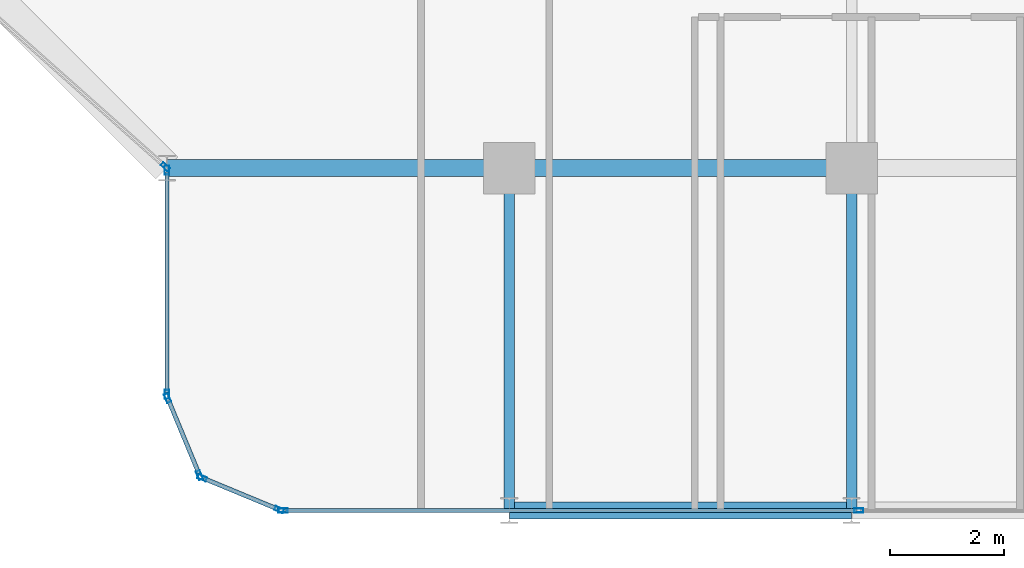
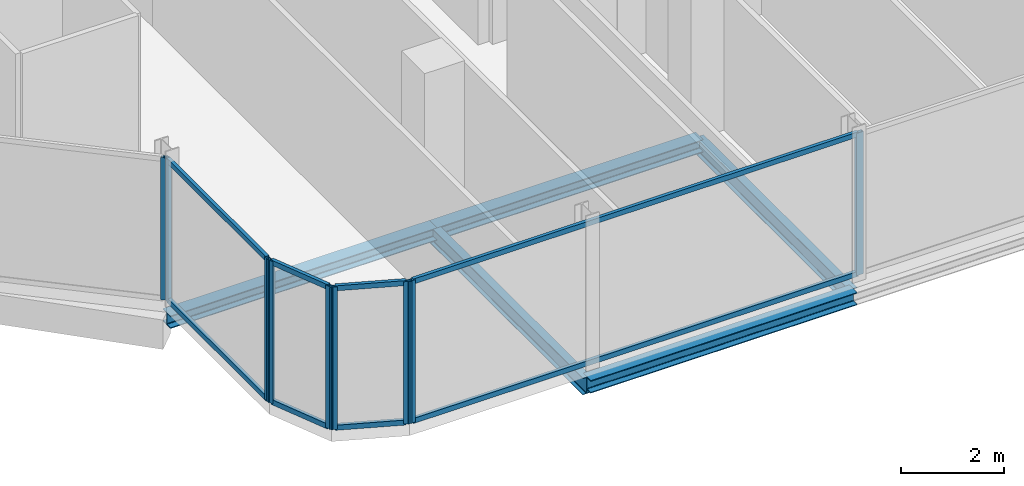
# One storey, part 6 of 29: 17 members, 5 beams, 5 elements without a shape of their own.
"""IFC4 building model written with IfcOpenShell, lengths in metres."""

from ifc_helpers import new_model, si_unit, direction, frame, origin, origin_2d, place, context, subcontext, project, spatial, hollow_rectangle, i_section, extrude, material, layer, layer_set, material_profile, profile_set, type_object, element, aggregate, save


model = new_model("IFC4")

# Units and contexts
model_context = context("Model", 3, precision=1e-05, world=origin(), true_north=direction((0.0, 1.0)))
body_context = subcontext(model_context, "Body", "Model", "MODEL_VIEW")
ifc_project = project(units=[si_unit("LENGTHUNIT", "METRE"), si_unit("AREAUNIT", "SQUARE_METRE"), si_unit("VOLUMEUNIT", "CUBIC_METRE"), si_unit("PLANEANGLEUNIT", "RADIAN"), si_unit("MASSUNIT", "GRAM", prefix="KILO")], contexts=[model_context])

# Site, building, storey
site_placement = place(None, origin())
site = spatial("IfcSite", under=ifc_project, at=site_placement, CompositionType="ELEMENT")
building_placement = place(site_placement, origin())
building = spatial("IfcBuilding", under=site, at=building_placement, Name="Keshet Zoharim Tower", CompositionType="ELEMENT")
storey_placement = place(building_placement, frame((0.0, 0.0, 176.5)))
storey = spatial("IfcBuildingStorey", under=building, at=storey_placement, Name="L43", CompositionType="ELEMENT", Elevation=176.5)

# Beams
ifc_material_1 = material(Name="Steel S355", Category="steel")
ifc_material_profile_1 = material_profile(ifc_material_1, i_section(OverallWidth=0.300048828125, OverallDepth=0.300048828125, WebThickness=0.010986328125, FlangeThickness=0.01904296875, FilletRadius=0.027099609375, at=origin_2d()), Name="HEB300")
ifc_profile_set_1 = profile_set([ifc_material_profile_1], Name="Steel S355")
beam_type_1 = type_object("IfcBeamType", Name="BM-PRI-HB300", PredefinedType="BEAM", material=ifc_profile_set_1)
for number, where, z_axis, x_axis, name in (
    (1, (27.0, 0.699951171875, -0.4599609375), (1.0, 0.0, 0.0), (0.0, 1.0, 0.0), "L43 Primary Girder X-001"),
    (2, (21.0, 6.699951171875, -0.4599609375), (1.0, 0.0, 0.0), (0.0, 1.0, 0.0), "L43 Primary Girder X-005"),
    (3, (27.0, 6.699951171875, -0.4599609375), (1.0, 0.0, 0.0), (0.0, 1.0, 0.0), "L43 Primary Girder X-006"),
):
    element("IfcBeam", number, at=place(storey_placement, frame(where, z_axis=z_axis, x_axis=x_axis)), inside=storey, type_object=beam_type_1, Name=name, PredefinedType="BEAM", context=body_context, shape_type="SweptSolid", body=[
        extrude(i_section(OverallWidth=0.300048828125, OverallDepth=0.300048828125, WebThickness=0.010986328125, FlangeThickness=0.01904296875, FilletRadius=0.027099609375, at=origin_2d()), origin(), (0.0, 0.0, 1.0), 6.0),
    ])
ifc_material_profile_2 = material_profile(ifc_material_1, i_section(OverallWidth=0.179931640625, OverallDepth=0.39990234375, WebThickness=0.008544921875, FlangeThickness=0.013427734375, FilletRadius=0.02099609375, at=origin_2d()), Name="IPE400")
ifc_profile_set_2 = profile_set([ifc_material_profile_2], Name="Steel S355")
beam_type_2 = type_object("IfcBeamType", Name="BM-PRI-IP400", PredefinedType="BEAM", material=ifc_profile_set_2)
for number, where, z_axis, x_axis, name in (
    (4, (27.0, 0.699951171875, -0.510009765625), (0.0, 1.0, 0.0), (-1.0, 0.0, 0.0), "L43 Primary Girder Y-004"),
    (5, (33.0, 0.699951171875, -0.510009765625), (0.0, 1.0, 0.0), (-1.0, 0.0, 0.0), "L43 Primary Girder Y-005"),
):
    element("IfcBeam", number, at=place(storey_placement, frame(where, z_axis=z_axis, x_axis=x_axis)), inside=storey, type_object=beam_type_2, Name=name, PredefinedType="BEAM", context=body_context, shape_type="SweptSolid", body=[
        extrude(i_section(OverallWidth=0.179931640625, OverallDepth=0.39990234375, WebThickness=0.008544921875, FlangeThickness=0.013427734375, FilletRadius=0.02099609375, at=origin_2d()), origin(), (0.0, 0.0, 1.0), 6.0),
    ])

# Curtain wall, members
ifc_material_2 = material(Name="Aluminium 6063-T6", Category="aluminium")
ifc_layer = layer(ifc_material_2, 0.139892578125)
ifc_layer_set = layer_set([ifc_layer], Name="Aluminium 6063-T6")
curtain_wall_type = type_object("IfcCurtainWallType", Name="CW-SYS-05", PredefinedType="NOTDEFINED", material=ifc_layer_set)
curtain_wall_1_placement = place(storey_placement, origin())
curtain_wall_1 = element("IfcCurtainWall", 6, at=curtain_wall_1_placement, inside=storey, type_object=curtain_wall_type, Name="L43 Unitised Curtain Wall 06 Part 3", PredefinedType="NOTDEFINED")
ifc_material_profile_3 = material_profile(ifc_material_2, hollow_rectangle(XDim=0.074951171875, YDim=0.159912109375, WallThickness=0.00390625, at=origin_2d()), Name="MUL-75x160")
ifc_profile_set_3 = profile_set([ifc_material_profile_3], Name="Aluminium 6063-T6")
member_type_1 = type_object("IfcMemberType", Name="CWM-M15", PredefinedType="MULLION", material=ifc_profile_set_3)
member_1_placement = place(storey_placement, frame((33.1259765625, 0.699951171875, 0.0), z_axis=(0.0, 0.0, 1.0), x_axis=(0.0, -1.0, 0.0)))
member_1 = element("IfcMember", 7, at=member_1_placement, type_object=member_type_1, Name="CW-05 mullion 2", PredefinedType="MULLION", context=body_context, shape_type="SweptSolid", body=[
    extrude(hollow_rectangle(XDim=0.074951171875, YDim=0.159912109375, WallThickness=0.00390625, at=origin_2d()), origin(), (0.0, 0.0, 1.0), 3.389892578125),
])
member_2_placement = place(storey_placement, frame((23.034912109375, 0.699951171875, 0.0), z_axis=(0.0, 0.0, 1.0), x_axis=(0.0, -1.0, 0.0)))
member_2 = element("IfcMember", 8, at=member_2_placement, type_object=member_type_1, Name="CW-05 mullion 3", PredefinedType="MULLION", context=body_context, shape_type="SweptSolid", body=[
    extrude(hollow_rectangle(XDim=0.074951171875, YDim=0.159912109375, WallThickness=0.00390625, at=origin_2d()), origin(), (0.0, 0.0, 1.0), 3.389892578125),
])

curtain_wall_2_placement = place(storey_placement, origin())
curtain_wall_2 = element("IfcCurtainWall", 9, at=curtain_wall_2_placement, inside=storey, type_object=curtain_wall_type, Name="L43 Unitised Curtain Wall 07", PredefinedType="NOTDEFINED")
member_3_placement = place(storey_placement, frame((22.9677734375, 0.71337890625, 0.0), z_axis=(0.0, 0.0, 1.0), x_axis=(-0.382851849847, -0.92380975372, 0.0)))
member_3 = element("IfcMember", 10, at=member_3_placement, type_object=member_type_1, Name="CW-05 mullion 1", PredefinedType="MULLION", context=body_context, shape_type="SweptSolid", body=[
    extrude(hollow_rectangle(XDim=0.074951171875, YDim=0.159912109375, WallThickness=0.00390625, at=origin_2d()), origin(), (0.0, 0.0, 1.0), 3.389892578125),
])
member_4_placement = place(storey_placement, frame((21.618408203125, 1.272705078125, 0.0), z_axis=(0.0, 0.0, 1.0), x_axis=(-0.382851849847, -0.92380975372, 0.0)))
member_4 = element("IfcMember", 11, at=member_4_placement, type_object=member_type_1, Name="CW-05 mullion 2", PredefinedType="MULLION", context=body_context, shape_type="SweptSolid", body=[
    extrude(hollow_rectangle(XDim=0.074951171875, YDim=0.159912109375, WallThickness=0.00390625, at=origin_2d()), origin(), (0.0, 0.0, 1.0), 3.389892578125),
])

curtain_wall_3_placement = place(storey_placement, origin())
curtain_wall_3 = element("IfcCurtainWall", 12, at=curtain_wall_3_placement, inside=storey, type_object=curtain_wall_type, Name="L43 Unitised Curtain Wall 08", PredefinedType="NOTDEFINED")
member_5_placement = place(storey_placement, frame((21.572509765625, 1.318359375, 0.0), z_axis=(0.0, 0.0, 1.0), x_axis=(-0.92380975372, -0.382851849847, 0.0)))
member_5 = element("IfcMember", 13, at=member_5_placement, type_object=member_type_1, Name="CW-05 mullion 1", PredefinedType="MULLION", context=body_context, shape_type="SweptSolid", body=[
    extrude(hollow_rectangle(XDim=0.074951171875, YDim=0.159912109375, WallThickness=0.00390625, at=origin_2d()), origin(), (0.0, 0.0, 1.0), 3.389892578125),
])
member_6_placement = place(storey_placement, frame((21.013427734375, 2.667724609375, 0.0), z_axis=(0.0, 0.0, 1.0), x_axis=(-0.92380975372, -0.382851849847, 0.0)))
member_6 = element("IfcMember", 14, at=member_6_placement, type_object=member_type_1, Name="CW-05 mullion 2", PredefinedType="MULLION", context=body_context, shape_type="SweptSolid", body=[
    extrude(hollow_rectangle(XDim=0.074951171875, YDim=0.159912109375, WallThickness=0.00390625, at=origin_2d()), origin(), (0.0, 0.0, 1.0), 3.389892578125),
])

curtain_wall_4_placement = place(storey_placement, origin())
curtain_wall_4 = element("IfcCurtainWall", 15, at=curtain_wall_4_placement, inside=storey, type_object=curtain_wall_type, Name="L43 Unitised Curtain Wall 09", PredefinedType="NOTDEFINED")
member_7_placement = place(storey_placement, frame((21.0, 2.735107421875, 0.0), z_axis=(0.0, 0.0, 1.0), x_axis=(-1.0, 0.0, 0.0)))
member_7 = element("IfcMember", 16, at=member_7_placement, type_object=member_type_1, Name="CW-05 mullion 1", PredefinedType="MULLION", context=body_context, shape_type="SweptSolid", body=[
    extrude(hollow_rectangle(XDim=0.074951171875, YDim=0.159912109375, WallThickness=0.00390625, at=origin_2d()), origin(), (0.0, 0.0, 1.0), 3.389892578125),
])
member_8_placement = place(storey_placement, frame((21.0, 6.6650390625, 0.0), z_axis=(0.0, 0.0, 1.0), x_axis=(-1.0, 0.0, 0.0)))
member_8 = element("IfcMember", 17, at=member_8_placement, type_object=member_type_1, Name="CW-05 mullion 2", PredefinedType="MULLION", context=body_context, shape_type="SweptSolid", body=[
    extrude(hollow_rectangle(XDim=0.074951171875, YDim=0.159912109375, WallThickness=0.00390625, at=origin_2d()), origin(), (0.0, 0.0, 1.0), 3.389892578125),
])

# Curtain wall, member
curtain_wall_5_placement = place(storey_placement, origin())
curtain_wall_5 = element("IfcCurtainWall", 18, at=curtain_wall_5_placement, inside=storey, type_object=curtain_wall_type, Name="L43 Unitised Curtain Wall 10", PredefinedType="NOTDEFINED")
member_9_placement = place(storey_placement, frame((20.973876953125, 6.72314453125, 0.0), z_axis=(0.0, 0.0, 1.0), x_axis=(-0.664367613066, -0.74740596379, 0.0)))
member_9 = element("IfcMember", 19, at=member_9_placement, type_object=member_type_1, Name="CW-05 mullion 1", PredefinedType="MULLION", context=body_context, shape_type="SweptSolid", body=[
    extrude(hollow_rectangle(XDim=0.074951171875, YDim=0.159912109375, WallThickness=0.00390625, at=origin_2d()), origin(), (0.0, 0.0, 1.0), 3.389892578125),
])
aggregate(curtain_wall_5, [member_9])

# Member
ifc_material_profile_4 = material_profile(ifc_material_2, hollow_rectangle(XDim=0.074951171875, YDim=0.1201171875, WallThickness=0.00390625, at=origin_2d()), Name="TRN-75x120")
ifc_profile_set_4 = profile_set([ifc_material_profile_4], Name="Aluminium 6063-T6")
member_type_2 = type_object("IfcMemberType", Name="CWT-T12", PredefinedType="USERDEFINED", material=ifc_profile_set_4)
member_10_placement = place(storey_placement, frame((33.091064453125, 0.699951171875, 0.034912109375), z_axis=(-1.0, 0.0, 0.0), x_axis=(0.0, -1.0, 0.0)))
member_10 = element("IfcMember", 20, at=member_10_placement, type_object=member_type_2, Name="CW-05 transom 2.1", ObjectType="TRANSOM", PredefinedType="USERDEFINED", context=body_context, shape_type="SweptSolid", body=[
    extrude(hollow_rectangle(XDim=0.074951171875, YDim=0.1201171875, WallThickness=0.00390625, at=origin_2d()), origin(), (0.0, 0.0, 1.0), 10.02099609375),
])

member_11_placement = place(storey_placement, frame((33.091064453125, 0.699951171875, 3.35498046875), z_axis=(-1.0, 0.0, 0.0), x_axis=(0.0, -1.0, 0.0)))
member_11 = element("IfcMember", 21, at=member_11_placement, type_object=member_type_2, Name="CW-05 transom 2.2", ObjectType="TRANSOM", PredefinedType="USERDEFINED", context=body_context, shape_type="SweptSolid", body=[
    extrude(hollow_rectangle(XDim=0.074951171875, YDim=0.1201171875, WallThickness=0.00390625, at=origin_2d()), origin(), (0.0, 0.0, 1.0), 10.02099609375),
])

aggregate(curtain_wall_1, [member_1, member_2, member_10, member_11])

member_12_placement = place(storey_placement, frame((22.935302734375, 0.726806640625, 0.034912109375), z_axis=(-0.92379209995, 0.382894445076, 0.0), x_axis=(-0.382894445076, -0.92379209995, 0.0)))
member_12 = element("IfcMember", 22, at=member_12_placement, type_object=member_type_2, Name="CW-05 transom 1.1", ObjectType="TRANSOM", PredefinedType="USERDEFINED", context=body_context, shape_type="SweptSolid", body=[
    extrude(hollow_rectangle(XDim=0.074951171875, YDim=0.1201171875, WallThickness=0.00390625, at=origin_2d()), origin(), (0.0, 0.0, 1.0), 1.390625),
])

member_13_placement = place(storey_placement, frame((22.935302734375, 0.726806640625, 3.35498046875), z_axis=(-0.92379209995, 0.382894445076, 0.0), x_axis=(-0.382894445076, -0.92379209995, 0.0)))
member_13 = element("IfcMember", 23, at=member_13_placement, type_object=member_type_2, Name="CW-05 transom 1.2", ObjectType="TRANSOM", PredefinedType="USERDEFINED", context=body_context, shape_type="SweptSolid", body=[
    extrude(hollow_rectangle(XDim=0.074951171875, YDim=0.1201171875, WallThickness=0.00390625, at=origin_2d()), origin(), (0.0, 0.0, 1.0), 1.390625),
])

aggregate(curtain_wall_2, [member_3, member_4, member_12, member_13])

member_14_placement = place(storey_placement, frame((21.55908203125, 1.3505859375, 0.034912109375), z_axis=(-0.382744609247, 0.923854189844, 0.0), x_axis=(-0.923854189844, -0.382744609247, 0.0)))
member_14 = element("IfcMember", 24, at=member_14_placement, type_object=member_type_2, Name="CW-05 transom 1.1", ObjectType="TRANSOM", PredefinedType="USERDEFINED", context=body_context, shape_type="SweptSolid", body=[
    extrude(hollow_rectangle(XDim=0.074951171875, YDim=0.1201171875, WallThickness=0.00390625, at=origin_2d()), origin(), (0.0, 0.0, 1.0), 1.390625),
])

member_15_placement = place(storey_placement, frame((21.55908203125, 1.3505859375, 3.35498046875), z_axis=(-0.382744609247, 0.923854189844, 0.0), x_axis=(-0.923854189844, -0.382744609247, 0.0)))
member_15 = element("IfcMember", 25, at=member_15_placement, type_object=member_type_2, Name="CW-05 transom 1.2", ObjectType="TRANSOM", PredefinedType="USERDEFINED", context=body_context, shape_type="SweptSolid", body=[
    extrude(hollow_rectangle(XDim=0.074951171875, YDim=0.1201171875, WallThickness=0.00390625, at=origin_2d()), origin(), (0.0, 0.0, 1.0), 1.390625),
])

aggregate(curtain_wall_3, [member_5, member_6, member_14, member_15])

member_16_placement = place(storey_placement, frame((21.0, 2.77001953125, 0.034912109375), z_axis=(0.0, 1.0, 0.0), x_axis=(-1.0, 0.0, 0.0)))
member_16 = element("IfcMember", 26, at=member_16_placement, type_object=member_type_2, Name="CW-05 transom 1.1", ObjectType="TRANSOM", PredefinedType="USERDEFINED", context=body_context, shape_type="SweptSolid", body=[
    extrude(hollow_rectangle(XDim=0.074951171875, YDim=0.1201171875, WallThickness=0.00390625, at=origin_2d()), origin(), (0.0, 0.0, 1.0), 3.85986328125),
])

member_17_placement = place(storey_placement, frame((21.0, 2.77001953125, 3.35498046875), z_axis=(0.0, 1.0, 0.0), x_axis=(-1.0, 0.0, 0.0)))
member_17 = element("IfcMember", 27, at=member_17_placement, type_object=member_type_2, Name="CW-05 transom 1.2", ObjectType="TRANSOM", PredefinedType="USERDEFINED", context=body_context, shape_type="SweptSolid", body=[
    extrude(hollow_rectangle(XDim=0.074951171875, YDim=0.1201171875, WallThickness=0.00390625, at=origin_2d()), origin(), (0.0, 0.0, 1.0), 3.85986328125),
])

aggregate(curtain_wall_4, [member_7, member_8, member_16, member_17])

save(model, "model.ifc")
